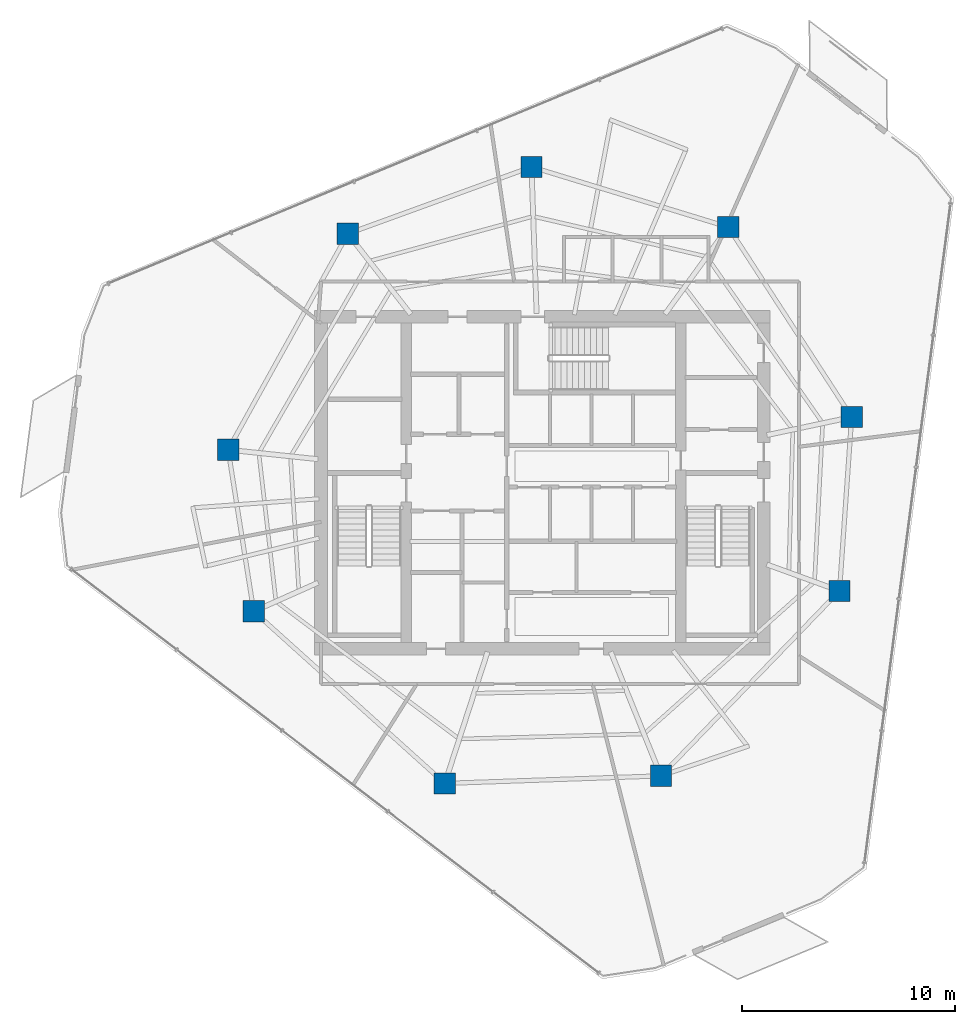
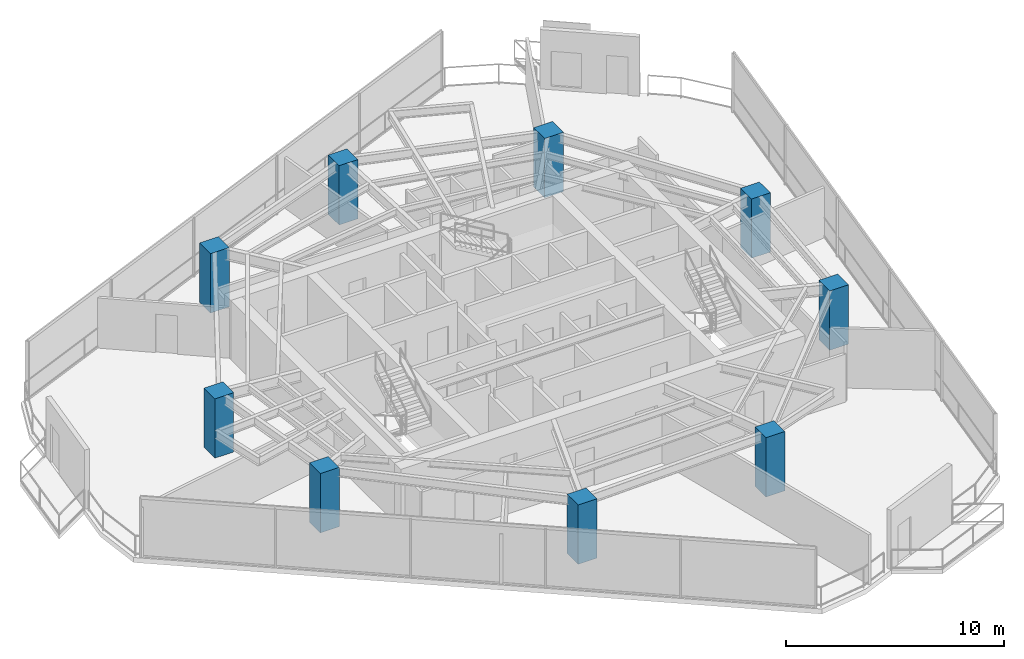
# One storey, part 1 of 20: 9 columns.
"""IFC4 building model written with IfcOpenShell, lengths in metres."""

from ifc_helpers import new_model, si_unit, direction, frame, origin, origin_2d, place, context, subcontext, project, spatial, rectangle, extrude, material, material_profile, profile_set, type_object, element, save


model = new_model("IFC4")

# Units and contexts
model_context = context("Model", 3, precision=1e-05, world=origin(), true_north=direction((0.0, 1.0)))
body_context = subcontext(model_context, "Body", "Model", "MODEL_VIEW")
ifc_project = project(units=[si_unit("LENGTHUNIT", "METRE"), si_unit("AREAUNIT", "SQUARE_METRE"), si_unit("VOLUMEUNIT", "CUBIC_METRE"), si_unit("PLANEANGLEUNIT", "RADIAN"), si_unit("MASSUNIT", "GRAM", prefix="KILO")], contexts=[model_context])

# Site, building, storey
site_placement = place(None, origin())
site = spatial("IfcSite", under=ifc_project, at=site_placement, CompositionType="ELEMENT")
building_placement = place(site_placement, origin())
building = spatial("IfcBuilding", under=site, at=building_placement, Name="Qarnah Convention Tower", CompositionType="ELEMENT")
storey_placement = place(building_placement, frame((0.0, 0.0, 150.89990234375)))
storey = spatial("IfcBuildingStorey", under=building, at=storey_placement, Name="L40", CompositionType="ELEMENT", Elevation=150.89990234375)

# Columns
ifc_material = material(Name="Concrete C60/75", Category="concrete")
ifc_material_profile = material_profile(ifc_material, rectangle(XDim=1.0, YDim=1.0, at=origin_2d()), Name="RC-COL-1000X1000")
ifc_profile_set = profile_set([ifc_material_profile], Name="Concrete C60/75")
column_type = type_object("IfcColumnType", Name="COL-Z3-1000", PredefinedType="COLUMN", material=ifc_profile_set)
for number, where, z_axis, x_axis, name in (
    (1, (51.72509765625, 29.487060546875, 0.0), (0.0, 0.0, 1.0), (1.0, 0.0, 0.0), "L40 plumb column PC-Z3-01"),
    (2, (45.928955078125, 38.4140625, 0.0), (0.0, 0.0, 1.0), (1.0, 0.0, 0.0), "L40 plumb column PC-Z3-02"),
    (3, (36.681884765625, 41.240966796875, 0.0), (0.0, 0.0, 1.0), (1.0, 0.0, 0.0), "L40 plumb column PC-Z3-03"),
    (4, (28.056884765625, 38.10205078125, 0.0), (0.0, 0.0, 1.0), (1.0, 0.0, 0.0), "L40 plumb column PC-Z3-04"),
    (5, (22.430908203125, 27.951904296875, 0.0), (0.0, 0.0, 1.0), (1.0, 0.0, 0.0), "L40 plumb column PC-Z3-05"),
    (6, (23.634033203125, 20.360107421875, 0.0), (0.0, 0.0, 1.0), (1.0, 0.0, 0.0), "L40 plumb column PC-Z3-06"),
    (7, (32.611083984375, 12.277099609375, 0.0), (0.0, 0.0, 1.0), (1.0, 0.0, 0.0), "L40 plumb column PC-Z3-07"),
    (8, (42.762939453125, 12.631103515625, 0.0), (0.0, 0.0, 1.0), (1.0, 0.0, 0.0), "L40 plumb column PC-Z3-08"),
    (9, (51.154052734375, 21.321044921875, 0.0), (0.0, 0.0, 1.0), (1.0, 0.0, 0.0), "L40 plumb column PC-Z3-09"),
):
    element("IfcColumn", number, at=place(storey_placement, frame(where, z_axis=z_axis, x_axis=x_axis)), inside=storey, type_object=column_type, Name=name, PredefinedType="COLUMN", context=body_context, shape_type="SweptSolid", body=[
        extrude(rectangle(XDim=1.0, YDim=1.0, at=origin_2d()), origin(), (0.0, 0.0, 1.0), 3.320068359375),
    ])

save(model, "model.ifc")
